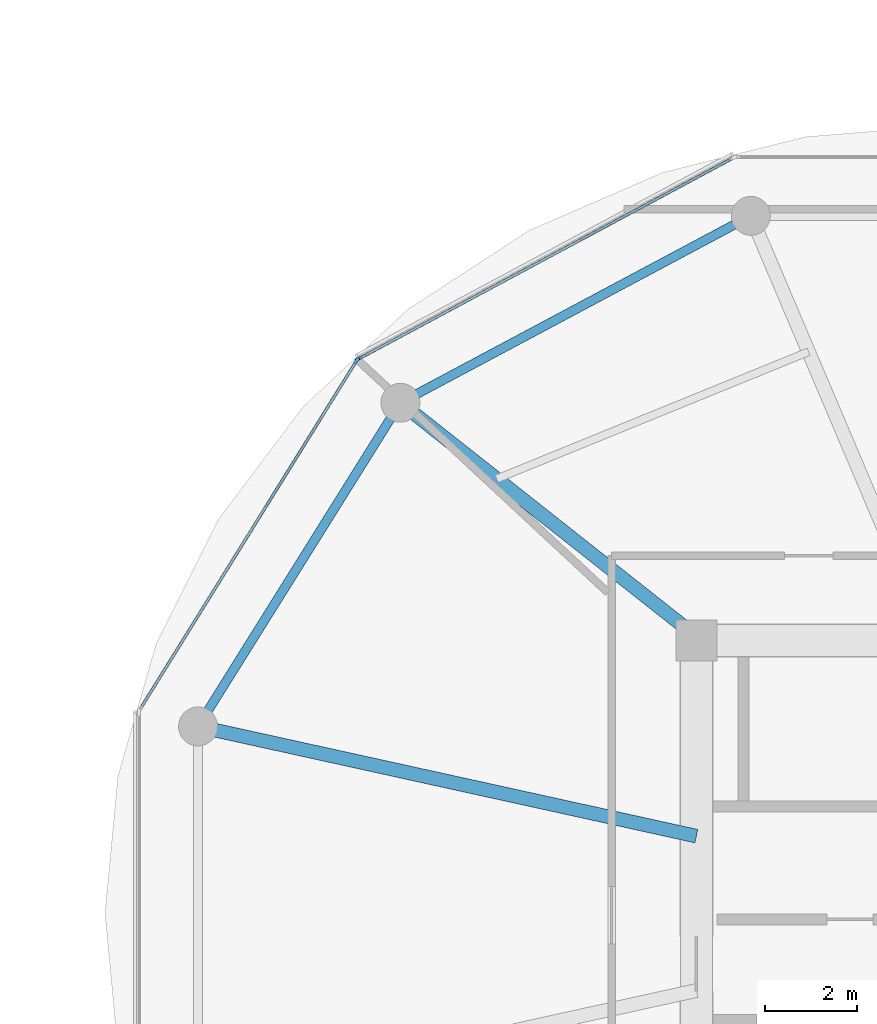
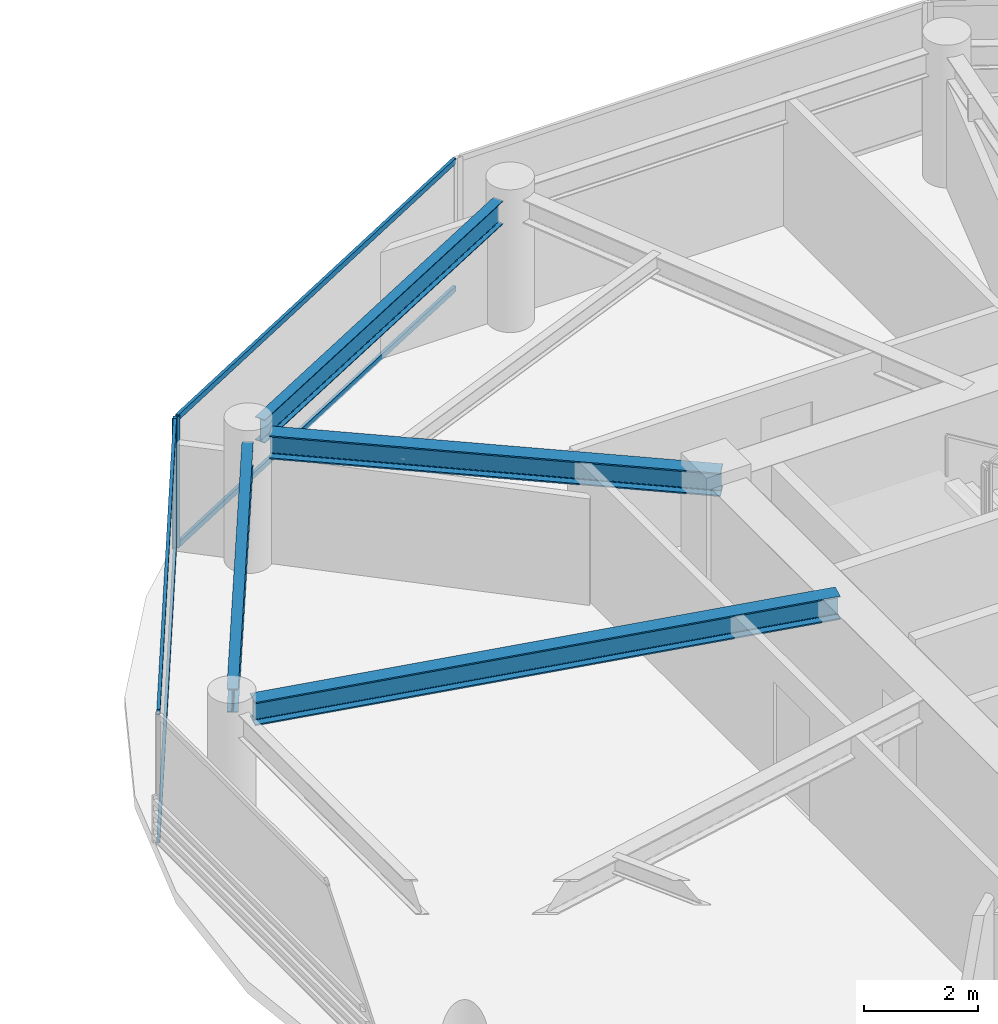
# One storey, part 8 of 24: 6 members, 4 beams, 2 elements without a shape of their own.
"""IFC4 building model written with IfcOpenShell, lengths in metres."""

from ifc_helpers import new_model, si_unit, direction, frame, origin, origin_2d, place, context, subcontext, project, spatial, rectangle, i_section, extrude, source, transform, mapped, material, layer, layer_set, material_profile, profile_set, type_object, type_shapes, element, aggregate, save


model = new_model("IFC4")

# Units and contexts
model_context = context("Model", 3, precision=1e-05, world=origin(), true_north=direction((0.0, 1.0)))
body_context = subcontext(model_context, "Body", "Model", "MODEL_VIEW")
ifc_project = project(units=[si_unit("LENGTHUNIT", "METRE"), si_unit("AREAUNIT", "SQUARE_METRE"), si_unit("VOLUMEUNIT", "CUBIC_METRE"), si_unit("PLANEANGLEUNIT", "RADIAN"), si_unit("MASSUNIT", "GRAM", prefix="KILO")], contexts=[model_context])

# Site, building, storey
site_placement = place(None, origin())
site = spatial("IfcSite", under=ifc_project, at=site_placement, CompositionType="ELEMENT")
building_placement = place(site_placement, origin())
building = spatial("IfcBuilding", under=site, at=building_placement, Name="Norrkilde Senior Care Towers", CompositionType="ELEMENT")
storey_placement = place(building_placement, frame((0.0, 0.0, 90.14990234375)))
storey = spatial("IfcBuildingStorey", under=building, at=storey_placement, Name="L27", CompositionType="ELEMENT", Elevation=90.14990234375)

# Beams
ifc_material_1 = material(Name="Steel S355", Category="steel")
ifc_material_profile_1 = material_profile(ifc_material_1, i_section(OverallWidth=0.199951171875, OverallDepth=0.5, WebThickness=0.01025390625, FlangeThickness=0.01611328125, FilletRadius=0.02099609375, at=origin_2d()), Name="IPE 500")
ifc_profile_set_1 = profile_set([ifc_material_profile_1], Name="Steel S355")
beam_type_1 = type_object("IfcBeamType", Name="Perimeter Ring Spandrel Z2 IPE500", PredefinedType="SPANDREL", material=ifc_profile_set_1)
shared_shape_1 = source(origin(), body_context, "Body", "SweptSolid", [
    extrude(i_section(OverallWidth=0.199951171875, OverallDepth=0.5, WebThickness=0.01025390625, FlangeThickness=0.01611328125, FilletRadius=0.02099609375, at=origin_2d()), origin(), (0.0, 0.0, 1.0), 7.55615234375),
])
beam_1_placement = place(storey_placement, frame((13.689697265625, 10.810546875, 2.5400390625), z_axis=(-0.529981514254, -0.848009194849, 0.0), x_axis=(0.848009194849, -0.529981514254, 0.0)))
element("IfcBeam", 1, at=beam_1_placement, inside=storey, type_object=beam_type_1, Name="L27 Drum E Perimeter Spandrel 05", PredefinedType="SPANDREL", context=body_context, shape_type="MappedRepresentation", body=[
    mapped(shared_shape_1, transform((0.0, 0.0, 0.0), x_axis=(1.0, 0.0, 0.0), y_axis=(0.0, 1.0, 0.0), z_axis=(0.0, 0.0, 1.0), scale=1.0)),
])
ifc_material_profile_2 = material_profile(ifc_material_1, i_section(OverallWidth=0.300048828125, OverallDepth=0.5, WebThickness=0.014404296875, FlangeThickness=0.028076171875, FilletRadius=0.027099609375, at=origin_2d()), Name="HEB 500")
ifc_profile_set_2 = profile_set([ifc_material_profile_2], Name="Steel S355")
beam_type_2 = type_object("IfcBeamType", Name="Radial Floor Beam Z2 HEB500", PredefinedType="BEAM", material=ifc_profile_set_2)
shared_shape_2 = source(origin(), body_context, "Body", "SweptSolid", [
    extrude(i_section(OverallWidth=0.300048828125, OverallDepth=0.5, WebThickness=0.014404296875, FlangeThickness=0.028076171875, FilletRadius=0.027099609375, at=origin_2d()), origin(), (0.0, 0.0, 1.0), 10.744384765625),
])
beam_2_placement = place(storey_placement, frame((20.35009765625, 1.683837890625, 2.5400390625), z_axis=(-0.976618711422, 0.214978818724, 0.0), x_axis=(-0.214978818724, -0.976618711422, 0.0)))
element("IfcBeam", 2, at=beam_2_placement, inside=storey, type_object=beam_type_2, Name="L27 Drum E Radial Floor Beam 06", PredefinedType="BEAM", context=body_context, shape_type="MappedRepresentation", body=[
    mapped(shared_shape_2, transform((0.0, 0.0, 0.0), x_axis=(1.0, 0.0, 0.0), y_axis=(0.0, 1.0, 0.0), z_axis=(0.0, 0.0, 1.0), scale=1.0)),
])
shared_shape_3 = source(origin(), body_context, "Body", "SweptSolid", [
    extrude(i_section(OverallWidth=0.199951171875, OverallDepth=0.5, WebThickness=0.01025390625, FlangeThickness=0.01611328125, FilletRadius=0.02099609375, at=origin_2d()), origin(), (0.0, 0.0, 1.0), 7.892333984375),
])
type_shapes(beam_type_1, [shared_shape_1, shared_shape_3])
beam_3_placement = place(storey_placement, frame((21.197509765625, 15.0322265625, 2.5400390625), z_axis=(-0.882350372282, -0.47059305194, 0.0), x_axis=(0.47059305194, -0.882350372282, 0.0)))
element("IfcBeam", 3, at=beam_3_placement, inside=storey, type_object=beam_type_1, Name="L27 Drum E Perimeter Spandrel 04", PredefinedType="SPANDREL", context=body_context, shape_type="MappedRepresentation", body=[
    mapped(shared_shape_3, transform((0.0, 0.0, 0.0), x_axis=(1.0, 0.0, 0.0), y_axis=(0.0, 1.0, 0.0), z_axis=(0.0, 0.0, 1.0), scale=1.0)),
])
shared_shape_4 = source(origin(), body_context, "Body", "SweptSolid", [
    extrude(i_section(OverallWidth=0.300048828125, OverallDepth=0.5, WebThickness=0.014404296875, FlangeThickness=0.028076171875, FilletRadius=0.027099609375, at=origin_2d()), origin(), (0.0, 0.0, 1.0), 7.985595703125),
])
type_shapes(beam_type_2, [shared_shape_2, shared_shape_4])
beam_4_placement = place(storey_placement, frame((20.463623046875, 5.949951171875, 2.5400390625), z_axis=(-0.784858505144, 0.619675017169, 0.0), x_axis=(-0.619675017169, -0.784858505144, 0.0)))
element("IfcBeam", 4, at=beam_4_placement, inside=storey, type_object=beam_type_2, Name="L27 Drum E Radial Floor Beam 05", PredefinedType="BEAM", context=body_context, shape_type="MappedRepresentation", body=[
    mapped(shared_shape_4, transform((0.0, 0.0, 0.0), x_axis=(1.0, 0.0, 0.0), y_axis=(0.0, 1.0, 0.0), z_axis=(0.0, 0.0, 1.0), scale=1.0)),
])

# Curtain wall, member
ifc_material_2 = material(Name="Triple Low-E Insulated Glazing", Category="glass")
ifc_layer = layer(ifc_material_2, 0.195068359375)
ifc_layer_set = layer_set([ifc_layer], Name="Triple Low-E Insulated Glazing")
curtain_wall_type = type_object("IfcCurtainWallType", Name="CW3 Zone 2 Assisted Living Curtain Wall", PredefinedType="NOTDEFINED", material=ifc_layer_set)
curtain_wall_1_placement = place(storey_placement, origin())
curtain_wall_1 = element("IfcCurtainWall", 5, at=curtain_wall_1_placement, inside=storey, type_object=curtain_wall_type, Name="L27 Drum E Curtain Wall 03", PredefinedType="NOTDEFINED")
ifc_material_3 = material(Name="Anodised Aluminium", Category="aluminium")
ifc_material_profile_3 = material_profile(ifc_material_3, rectangle(XDim=0.06494140625, YDim=0.159912109375, at=origin_2d()), Name="ALU MULL 65x160")
ifc_profile_set_3 = profile_set([ifc_material_profile_3], Name="Anodised Aluminium")
member_type_1 = type_object("IfcMemberType", Name="Curtain Wall Mullion Z1-Z2 65x160", PredefinedType="MULLION", material=ifc_profile_set_3)
shared_shape_5 = source(origin(), body_context, "Body", "SweptSolid", [
    extrude(rectangle(XDim=0.06494140625, YDim=0.159912109375, at=origin_2d()), origin(), (0.0, 0.0, 1.0), 2.7900390625),
])
type_shapes(member_type_1, [shared_shape_5])
member_1_placement = place(storey_placement, frame((12.98193359375, 12.0927734375, 0.0), z_axis=(0.0, 0.0, 1.0), x_axis=(-0.472769402511, 0.881186184668, 0.0)))
member_1 = element("IfcMember", 6, at=member_1_placement, type_object=member_type_1, Name="CW-3 mullion 1", PredefinedType="MULLION", context=body_context, shape_type="MappedRepresentation", body=[
    mapped(shared_shape_5, transform((0.0, 0.0, 0.0), x_axis=(1.0, 0.0, 0.0), y_axis=(0.0, 1.0, 0.0), z_axis=(0.0, 0.0, 1.0), scale=1.0)),
])

# Curtain wall, members
curtain_wall_2_placement = place(storey_placement, origin())
curtain_wall_2 = element("IfcCurtainWall", 7, at=curtain_wall_2_placement, inside=storey, type_object=curtain_wall_type, Name="L27 Drum E Curtain Wall 04", PredefinedType="NOTDEFINED")
member_2_placement = place(storey_placement, frame((12.936279296875, 12.0498046875, 0.0), z_axis=(0.0, 0.0, 1.0), x_axis=(-0.849410171862, 0.527733228002, 0.0)))
member_2 = element("IfcMember", 8, at=member_2_placement, type_object=member_type_1, Name="CW-3 mullion 2", PredefinedType="MULLION", context=body_context, shape_type="MappedRepresentation", body=[
    mapped(shared_shape_5, transform((0.0, 0.0, 0.0), x_axis=(1.0, 0.0, 0.0), y_axis=(0.0, 1.0, 0.0), z_axis=(0.0, 0.0, 1.0), scale=1.0)),
])
ifc_material_profile_4 = material_profile(ifc_material_3, rectangle(XDim=0.06005859375, YDim=0.1201171875, at=origin_2d()), Name="ALU TRAN 60x120")
ifc_profile_set_4 = profile_set([ifc_material_profile_4], Name="Anodised Aluminium")
member_type_2 = type_object("IfcMemberType", Name="Curtain Wall Transom Typical 60x120", PredefinedType="USERDEFINED", material=ifc_profile_set_4)
shared_shape_6 = source(origin(), body_context, "Body", "SweptSolid", [
    extrude(rectangle(XDim=0.06005859375, YDim=0.1201171875, at=origin_2d()), origin(), (0.0, 0.0, 1.0), 8.88427734375),
])
member_3_placement = place(storey_placement, frame((8.23046875, 4.475830078125, 0.030029296875), z_axis=(0.527749293309, 0.849400190377, 0.0), x_axis=(-0.849400190377, 0.527749293309, 0.0)))
member_3 = element("IfcMember", 9, at=member_3_placement, type_object=member_type_2, Name="CW-3 transom 1.1", ObjectType="TRANSOM", PredefinedType="USERDEFINED", context=body_context, shape_type="MappedRepresentation", body=[
    mapped(shared_shape_6, transform((0.0, 0.0, 0.0), x_axis=(1.0, 0.0, 0.0), y_axis=(0.0, 1.0, 0.0), z_axis=(0.0, 0.0, 1.0), scale=1.0)),
])
member_4_placement = place(storey_placement, frame((8.23046875, 4.475830078125, 2.760009765625), z_axis=(0.527749293309, 0.849400190377, 0.0), x_axis=(-0.849400190377, 0.527749293309, 0.0)))
member_4 = element("IfcMember", 10, at=member_4_placement, type_object=member_type_2, Name="CW-3 transom 1.2", ObjectType="TRANSOM", PredefinedType="USERDEFINED", context=body_context, shape_type="MappedRepresentation", body=[
    mapped(shared_shape_6, transform((0.0, 0.0, 0.0), x_axis=(1.0, 0.0, 0.0), y_axis=(0.0, 1.0, 0.0), z_axis=(0.0, 0.0, 1.0), scale=1.0)),
])
aggregate(curtain_wall_2, [member_2, member_3, member_4])

# Member
shared_shape_7 = source(origin(), body_context, "Body", "SweptSolid", [
    extrude(rectangle(XDim=0.06005859375, YDim=0.1201171875, at=origin_2d()), origin(), (0.0, 0.0, 1.0), 9.220458984375),
])
type_shapes(member_type_2, [shared_shape_6, shared_shape_7])
member_5_placement = place(storey_placement, frame((13.0107421875, 12.108154296875, 0.030029296875), z_axis=(0.881188517866, 0.472765053681, 0.0), x_axis=(-0.472765053681, 0.881188517866, 0.0)))
member_5 = element("IfcMember", 11, at=member_5_placement, type_object=member_type_2, Name="CW-3 transom 1.1", ObjectType="TRANSOM", PredefinedType="USERDEFINED", context=body_context, shape_type="MappedRepresentation", body=[
    mapped(shared_shape_7, transform((0.0, 0.0, 0.0), x_axis=(1.0, 0.0, 0.0), y_axis=(0.0, 1.0, 0.0), z_axis=(0.0, 0.0, 1.0), scale=1.0)),
])

member_6_placement = place(storey_placement, frame((13.0107421875, 12.108154296875, 2.760009765625), z_axis=(0.881188517866, 0.472765053681, 0.0), x_axis=(-0.472765053681, 0.881188517866, 0.0)))
member_6 = element("IfcMember", 12, at=member_6_placement, type_object=member_type_2, Name="CW-3 transom 1.2", ObjectType="TRANSOM", PredefinedType="USERDEFINED", context=body_context, shape_type="MappedRepresentation", body=[
    mapped(shared_shape_7, transform((0.0, 0.0, 0.0), x_axis=(1.0, 0.0, 0.0), y_axis=(0.0, 1.0, 0.0), z_axis=(0.0, 0.0, 1.0), scale=1.0)),
])

aggregate(curtain_wall_1, [member_1, member_5, member_6])

save(model, "model.ifc")
